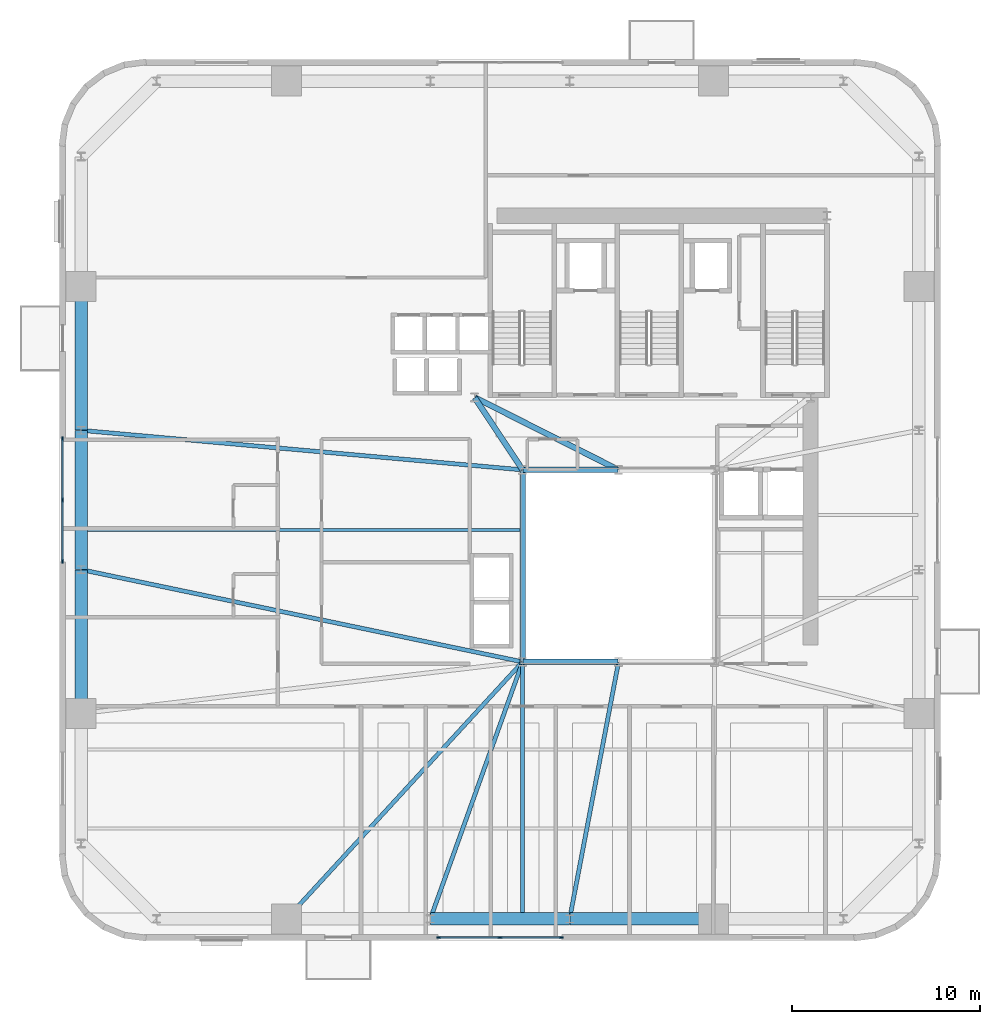
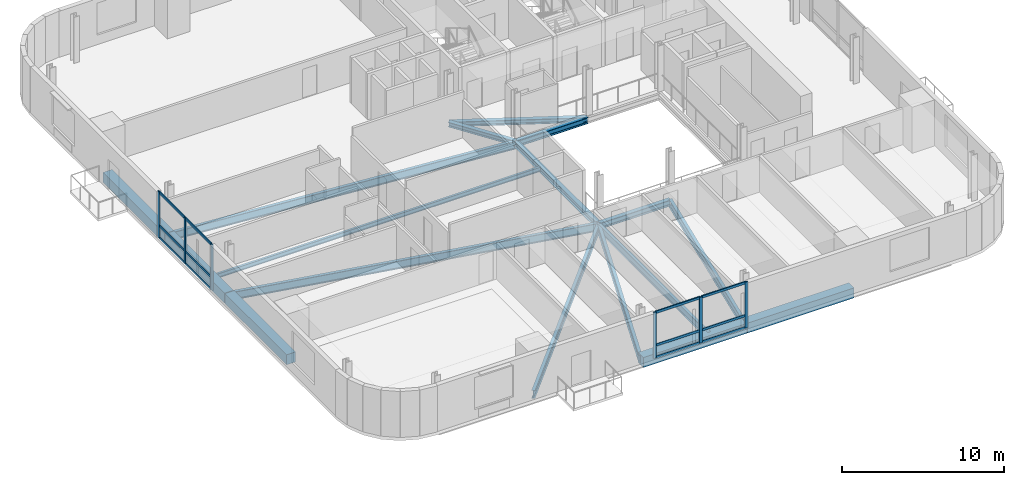
# One storey, part 2 of 14: 18 members, 17 beams, 2 elements without a shape of their own.
"""IFC4 building model written with IfcOpenShell, lengths in metres."""

from ifc_helpers import new_model, si_unit, direction, frame, origin, origin_2d, place, context, subcontext, project, spatial, rectangle, i_section, extrude, source, transform, mapped, material, material_profile, profile_set, type_object, element, aggregate, save


model = new_model("IFC4")

# Units and contexts
model_context = context("Model", 3, precision=1e-05, world=origin(), true_north=direction((0.0, 1.0)))
body_context = subcontext(model_context, "Body", "Model", "MODEL_VIEW")
ifc_project = project(units=[si_unit("LENGTHUNIT", "METRE"), si_unit("AREAUNIT", "SQUARE_METRE"), si_unit("VOLUMEUNIT", "CUBIC_METRE"), si_unit("PLANEANGLEUNIT", "RADIAN"), si_unit("MASSUNIT", "GRAM", prefix="KILO")], contexts=[model_context])

# Site, building, storey
site_placement = place(None, origin())
site = spatial("IfcSite", under=ifc_project, at=site_placement, CompositionType="ELEMENT")
building_placement = place(site_placement, origin())
building = spatial("IfcBuilding", under=site, at=building_placement, Name="Vardaveli Station Tower", CompositionType="ELEMENT")
storey_placement = place(building_placement, frame((0.0, 0.0, 133.5)))
storey = spatial("IfcBuildingStorey", under=building, at=storey_placement, Name="L34", CompositionType="ELEMENT", Elevation=133.5)

# Beams
ifc_material_1 = material(Name="Structural steel S355J2", Category="steel")
ifc_material_profile_1 = material_profile(ifc_material_1, i_section(OverallWidth=0.300048828125, OverallDepth=0.449951171875, WebThickness=0.013916015625, FlangeThickness=0.02587890625, FilletRadius=0.027099609375, at=origin_2d()), Name="HEB 450")
ifc_profile_set_1 = profile_set([ifc_material_profile_1], Name="Structural steel S355J2")
beam_type_1 = type_object("IfcBeamType", Name="BM-HEB450", PredefinedType="BEAM", material=ifc_profile_set_1)
shared_shape_1 = source(origin(), body_context, "Body", "SweptSolid", [
    extrude(i_section(OverallWidth=0.300048828125, OverallDepth=0.449951171875, WebThickness=0.013916015625, FlangeThickness=0.02587890625, FilletRadius=0.027099609375, at=origin_2d()), origin(), (0.0, 0.0, 1.0), 5.06005859375),
])
for number, where, z_axis, x_axis, name in (
    (1, (31.219970703125, 16.60009765625, -0.465087890625), (1.0, 0.0, 0.0), (0.0, 1.0, 0.0), "ABM-L34-01"),
    (2, (36.280029296875, 26.800048828125, -0.465087890625), (-1.0, 0.0, 0.0), (0.0, -1.0, 0.0), "ABM-L34-05"),
):
    element("IfcBeam", number, at=place(storey_placement, frame(where, z_axis=z_axis, x_axis=x_axis)), inside=storey, type_object=beam_type_1, Name=name, PredefinedType="BEAM", context=body_context, shape_type="MappedRepresentation", body=[
        mapped(shared_shape_1, transform((0.0, 0.0, 0.0), scale=1.0)),
    ])
shared_shape_2 = source(origin(), body_context, "Body", "SweptSolid", [
    extrude(i_section(OverallWidth=0.300048828125, OverallDepth=0.449951171875, WebThickness=0.013916015625, FlangeThickness=0.02587890625, FilletRadius=0.027099609375, at=origin_2d()), origin(), (0.0, 0.0, 1.0), 10.159912109375),
])
beam_1_placement = place(storey_placement, frame((31.199951171875, 26.780029296875, -0.465087890625), z_axis=(0.0, -1.0, 0.0), x_axis=(1.0, 0.0, 0.0)))
element("IfcBeam", 3, at=beam_1_placement, inside=storey, type_object=beam_type_1, Name="ABM-L34-06", PredefinedType="BEAM", context=body_context, shape_type="MappedRepresentation", body=[
    mapped(shared_shape_2, transform((0.0, 0.0, 0.0), scale=1.0)),
])
ifc_material_profile_2 = material_profile(ifc_material_1, i_section(OverallWidth=0.300048828125, OverallDepth=0.360107421875, WebThickness=0.012451171875, FlangeThickness=0.0224609375, FilletRadius=0.027099609375, at=origin_2d()), Name="HEB 360")
ifc_profile_set_2 = profile_set([ifc_material_profile_2], Name="Structural steel S355J2")
beam_type_2 = type_object("IfcBeamType", Name="BM-HEB360", PredefinedType="BEAM", material=ifc_profile_set_2)
shared_shape_3 = source(origin(), body_context, "Body", "SweptSolid", [
    extrude(i_section(OverallWidth=0.300048828125, OverallDepth=0.360107421875, WebThickness=0.012451171875, FlangeThickness=0.0224609375, FilletRadius=0.027099609375, at=origin_2d()), origin(), (0.0, 0.0, 1.0), 4.577880859375),
])
beam_2_placement = place(storey_placement, frame((31.18896484375, 26.816650390625, -0.419921875), z_axis=(-0.55218702139, 0.833720272879, 0.0), x_axis=(-0.833720272879, -0.55218702139, 0.0)))
element("IfcBeam", 4, at=beam_2_placement, inside=storey, type_object=beam_type_2, Name="CBM-L34-01", PredefinedType="BEAM", context=body_context, shape_type="MappedRepresentation", body=[
    mapped(shared_shape_3, transform((0.0, 0.0, 0.0), scale=1.0)),
])
shared_shape_4 = source(origin(), body_context, "Body", "SweptSolid", [
    extrude(i_section(OverallWidth=0.300048828125, OverallDepth=0.360107421875, WebThickness=0.012451171875, FlangeThickness=0.0224609375, FilletRadius=0.027099609375, at=origin_2d()), origin(), (0.0, 0.0, 1.0), 8.524169921875),
])
beam_3_placement = place(storey_placement, frame((28.66796875, 30.64111328125, -0.419921875), z_axis=(0.893255584708, -0.449549174605, 0.0), x_axis=(0.449549174605, 0.893255584708, 0.0)))
element("IfcBeam", 5, at=beam_3_placement, inside=storey, type_object=beam_type_2, Name="CBM-L34-03", PredefinedType="BEAM", context=body_context, shape_type="MappedRepresentation", body=[
    mapped(shared_shape_4, transform((0.0, 0.0, 0.0), scale=1.0)),
])
ifc_material_2 = material(Name="Precast concrete C45/55", Category="concrete")
ifc_material_profile_3 = material_profile(ifc_material_2, rectangle(XDim=0.64990234375, YDim=0.75, at=origin_2d()), Name="LPB 650x750")
ifc_profile_set_3 = profile_set([ifc_material_profile_3], Name="Precast concrete C45/55")
beam_type_3 = type_object("IfcBeamType", Name="BM-LPB-750", PredefinedType="BEAM", material=ifc_profile_set_3)
shared_shape_5 = source(origin(), body_context, "Body", "SweptSolid", [
    extrude(rectangle(XDim=0.64990234375, YDim=0.75, at=origin_2d()), origin(), (0.0, 0.0, 1.0), 7.60009765625),
])
for number, where, z_axis, x_axis, name in (
    (6, (33.719970703125, 2.949951171875, -0.614990234375), (1.0, 0.0, 0.0), (0.0, 1.0, 0.0), "RBM-L34-03"),
    (7, (7.75, 36.52001953125, -0.614990234375), (0.0, -1.0, 0.0), (1.0, 0.0, 0.0), "RBM-L34-19"),
    (8, (7.75, 21.47998046875, -0.614990234375), (0.0, -1.0, 0.0), (1.0, 0.0, 0.0), "RBM-L34-21"),
):
    element("IfcBeam", number, at=place(storey_placement, frame(where, z_axis=z_axis, x_axis=x_axis)), inside=storey, type_object=beam_type_3, Name=name, PredefinedType="BEAM", context=body_context, shape_type="MappedRepresentation", body=[
        mapped(shared_shape_5, transform((0.0, 0.0, 0.0), scale=1.0)),
    ])
shared_shape_6 = source(origin(), body_context, "Body", "SweptSolid", [
    extrude(rectangle(XDim=0.64990234375, YDim=0.75, at=origin_2d()), origin(), (0.0, 0.0, 1.0), 7.35986328125),
])
for number, where, z_axis, x_axis, name in (
    (9, (26.320068359375, 2.949951171875, -0.614990234375), (1.0, 0.0, 0.0), (0.0, 1.0, 0.0), "RBM-L34-02"),
    (10, (7.75, 28.8798828125, -0.614990234375), (0.0, -1.0, 0.0), (1.0, 0.0, 0.0), "RBM-L34-20"),
):
    element("IfcBeam", number, at=place(storey_placement, frame(where, z_axis=z_axis, x_axis=x_axis)), inside=storey, type_object=beam_type_3, Name=name, PredefinedType="BEAM", context=body_context, shape_type="MappedRepresentation", body=[
        mapped(shared_shape_6, transform((0.0, 0.0, 0.0), scale=1.0)),
    ])
ifc_material_profile_4 = material_profile(ifc_material_1, i_section(OverallWidth=0.2099609375, OverallDepth=0.550048828125, WebThickness=0.010986328125, FlangeThickness=0.01708984375, FilletRadius=0.02392578125, at=origin_2d()), Name="IPE 550")
ifc_profile_set_4 = profile_set([ifc_material_profile_4], Name="Structural steel S355J2")
beam_type_4 = type_object("IfcBeamType", Name="BM-IPE550", PredefinedType="BEAM", material=ifc_profile_set_4)
shared_shape_7 = source(origin(), body_context, "Body", "SweptSolid", [
    extrude(i_section(OverallWidth=0.2099609375, OverallDepth=0.550048828125, WebThickness=0.010986328125, FlangeThickness=0.01708984375, FilletRadius=0.02392578125, at=origin_2d()), origin(), (0.0, 0.0, 1.0), 13.469970703125),
])
beam_4_placement = place(storey_placement, frame((31.199951171875, 2.989990234375, -0.514892578125), z_axis=(0.0, 1.0, 0.0), x_axis=(-1.0, 0.0, 0.0)))
element("IfcBeam", 11, at=beam_4_placement, inside=storey, type_object=beam_type_4, Name="NSM-L34-S1", PredefinedType="BEAM", context=body_context, shape_type="MappedRepresentation", body=[
    mapped(shared_shape_7, transform((0.0, 0.0, 0.0), scale=1.0)),
])
ifc_material_profile_5 = material_profile(ifc_material_1, i_section(OverallWidth=0.159912109375, OverallDepth=0.330078125, WebThickness=0.007568359375, FlangeThickness=0.011474609375, FilletRadius=0.01806640625, at=origin_2d()), Name="IPE 330")
ifc_profile_set_5 = profile_set([ifc_material_profile_5], Name="Structural steel S355J2")
beam_type_5 = type_object("IfcBeamType", Name="BM-IPE330", PredefinedType="JOIST", material=ifc_profile_set_5)
shared_shape_8 = source(origin(), body_context, "Body", "SweptSolid", [
    extrude(i_section(OverallWidth=0.159912109375, OverallDepth=0.330078125, WebThickness=0.007568359375, FlangeThickness=0.011474609375, FilletRadius=0.01806640625, at=origin_2d()), origin(), (0.0, 0.0, 1.0), 23.2978515625),
])
beam_5_placement = place(storey_placement, frame((7.7900390625, 23.60009765625, -0.405029296875), z_axis=(1.0, 0.0, 0.0), x_axis=(0.0, 1.0, 0.0)))
element("IfcBeam", 12, at=beam_5_placement, inside=storey, type_object=beam_type_5, Name="SJ-L34-W06", PredefinedType="JOIST", context=body_context, shape_type="MappedRepresentation", body=[
    mapped(shared_shape_8, transform((0.0, 0.0, 0.0), scale=1.0)),
])
ifc_material_profile_6 = material_profile(ifc_material_1, i_section(OverallWidth=0.219970703125, OverallDepth=0.60009765625, WebThickness=0.011962890625, FlangeThickness=0.01904296875, FilletRadius=0.02392578125, at=origin_2d()), Name="IPE 600")
ifc_profile_set_6 = profile_set([ifc_material_profile_6], Name="Structural steel S355J2")
beam_type_6 = type_object("IfcBeamType", Name="BM-IPE600", PredefinedType="BEAM", material=ifc_profile_set_6)
shared_shape_9 = source(origin(), body_context, "Body", "SweptSolid", [
    extrude(i_section(OverallWidth=0.219970703125, OverallDepth=0.60009765625, WebThickness=0.011962890625, FlangeThickness=0.01904296875, FilletRadius=0.02392578125, at=origin_2d()), origin(), (0.0, 0.0, 1.0), 18.49560546875),
])
beam_6_placement = place(storey_placement, frame((18.673583984375, 2.96484375, -0.5400390625), z_axis=(0.676535341891, 0.736410165039, 0.0), x_axis=(-0.736410165039, 0.676535341891, 0.0)))
element("IfcBeam", 13, at=beam_6_placement, inside=storey, type_object=beam_type_6, Name="GBM-L34-01", PredefinedType="BEAM", context=body_context, shape_type="MappedRepresentation", body=[
    mapped(shared_shape_9, transform((0.0, 0.0, 0.0), scale=1.0)),
])
shared_shape_10 = source(origin(), body_context, "Body", "SweptSolid", [
    extrude(i_section(OverallWidth=0.219970703125, OverallDepth=0.60009765625, WebThickness=0.011962890625, FlangeThickness=0.01904296875, FilletRadius=0.02392578125, at=origin_2d()), origin(), (0.0, 0.0, 1.0), 14.462890625),
])
beam_7_placement = place(storey_placement, frame((26.306640625, 2.96875, -0.5400390625), z_axis=(0.337880090533, 0.941189165057, 0.0), x_axis=(-0.941189165057, 0.337880090533, 0.0)))
element("IfcBeam", 14, at=beam_7_placement, inside=storey, type_object=beam_type_6, Name="GBM-L34-02", PredefinedType="BEAM", context=body_context, shape_type="MappedRepresentation", body=[
    mapped(shared_shape_10, transform((0.0, 0.0, 0.0), scale=1.0)),
])
shared_shape_11 = source(origin(), body_context, "Body", "SweptSolid", [
    extrude(i_section(OverallWidth=0.219970703125, OverallDepth=0.60009765625, WebThickness=0.011962890625, FlangeThickness=0.01904296875, FilletRadius=0.02392578125, at=origin_2d()), origin(), (0.0, 0.0, 1.0), 13.855224609375),
])
beam_8_placement = place(storey_placement, frame((33.703857421875, 2.9697265625, -0.5400390625), z_axis=(0.187097533125, 0.982341342456, 0.0), x_axis=(-0.982341342456, 0.187097533125, 0.0)))
element("IfcBeam", 15, at=beam_8_placement, inside=storey, type_object=beam_type_6, Name="GBM-L34-03", PredefinedType="BEAM", context=body_context, shape_type="MappedRepresentation", body=[
    mapped(shared_shape_11, transform((0.0, 0.0, 0.0), scale=1.0)),
])
shared_shape_12 = source(origin(), body_context, "Body", "SweptSolid", [
    extrude(i_section(OverallWidth=0.219970703125, OverallDepth=0.60009765625, WebThickness=0.011962890625, FlangeThickness=0.01904296875, FilletRadius=0.02392578125, at=origin_2d()), origin(), (0.0, 0.0, 1.0), 23.50390625),
])
beam_9_placement = place(storey_placement, frame((7.77001953125, 28.898193359375, -0.5400390625), z_axis=(0.996014142198, -0.08919545135, 0.0), x_axis=(0.08919545135, 0.996014142198, 0.0)))
element("IfcBeam", 16, at=beam_9_placement, inside=storey, type_object=beam_type_6, Name="GBM-L34-08", PredefinedType="BEAM", context=body_context, shape_type="MappedRepresentation", body=[
    mapped(shared_shape_12, transform((0.0, 0.0, 0.0), scale=1.0)),
])
shared_shape_13 = source(origin(), body_context, "Body", "SweptSolid", [
    extrude(i_section(OverallWidth=0.219970703125, OverallDepth=0.60009765625, WebThickness=0.011962890625, FlangeThickness=0.01904296875, FilletRadius=0.02392578125, at=origin_2d()), origin(), (0.0, 0.0, 1.0), 23.91650390625),
])
beam_10_placement = place(storey_placement, frame((7.76953125, 21.495849609375, -0.5400390625), z_axis=(0.978858547354, -0.204538368703, 0.0), x_axis=(0.204538368703, 0.978858547354, 0.0)))
element("IfcBeam", 17, at=beam_10_placement, inside=storey, type_object=beam_type_6, Name="GBM-L34-09", PredefinedType="BEAM", context=body_context, shape_type="MappedRepresentation", body=[
    mapped(shared_shape_13, transform((0.0, 0.0, 0.0), scale=1.0)),
])

# Curtain wall, members
ifc_material_3 = material(Name="Travertine stone and solar-control glass", Category="masonry")
curtain_wall_type = type_object("IfcCurtainWallType", Name="CW-SYS-2", PredefinedType="NOTDEFINED", material=ifc_material_3)
curtain_wall_1_placement = place(storey_placement, origin())
curtain_wall_1 = element("IfcCurtainWall", 18, at=curtain_wall_1_placement, inside=storey, type_object=curtain_wall_type, Name="CW-L34-S", PredefinedType="NOTDEFINED")
ifc_material_4 = material(Name="Anodised aluminium alloy 6063-T6", Category="aluminium")
ifc_material_profile_7 = material_profile(ifc_material_4, rectangle(XDim=0.0849609375, YDim=0.179931640625, at=origin_2d()), Name="CWT 85x180")
ifc_profile_set_7 = profile_set([ifc_material_profile_7], Name="Anodised aluminium alloy 6063-T6")
member_type_1 = type_object("IfcMemberType", Name="CW-SYS-2-TRAN", PredefinedType="NOTDEFINED", material=ifc_profile_set_7)
shared_shape_14 = source(origin(), body_context, "Body", "SweptSolid", [
    extrude(rectangle(XDim=0.0849609375, YDim=0.179931640625, at=origin_2d()), origin(), (0.0, 0.0, 1.0), 3.172607421875),
])
member_1_placement = place(storey_placement, frame((26.784912109375, 1.9599609375, 0.04248046875), z_axis=(1.0, 0.0, 0.0), x_axis=(0.0, 1.0, 0.0)))
member_1 = element("IfcMember", 19, at=member_1_placement, type_object=member_type_1, Name="CW-2 transom 1.1", ObjectType="TRANSOM", PredefinedType="USERDEFINED", context=body_context, shape_type="MappedRepresentation", body=[
    mapped(shared_shape_14, transform((0.0, 0.0, 0.0), scale=1.0)),
])
member_2_placement = place(storey_placement, frame((26.784912109375, 1.9599609375, 0.949951171875), z_axis=(1.0, 0.0, 0.0), x_axis=(0.0, 1.0, 0.0)))
member_2 = element("IfcMember", 20, at=member_2_placement, type_object=member_type_1, Name="CW-2 transom 1.2", ObjectType="TRANSOM", PredefinedType="USERDEFINED", context=body_context, shape_type="MappedRepresentation", body=[
    mapped(shared_shape_14, transform((0.0, 0.0, 0.0), scale=1.0)),
])
member_3_placement = place(storey_placement, frame((26.784912109375, 1.9599609375, 3.41748046875), z_axis=(1.0, 0.0, 0.0), x_axis=(0.0, 1.0, 0.0)))
member_3 = element("IfcMember", 21, at=member_3_placement, type_object=member_type_1, Name="CW-2 transom 1.3", ObjectType="TRANSOM", PredefinedType="USERDEFINED", context=body_context, shape_type="MappedRepresentation", body=[
    mapped(shared_shape_14, transform((0.0, 0.0, 0.0), scale=1.0)),
])
member_4_placement = place(storey_placement, frame((30.04248046875, 1.9599609375, 0.04248046875), z_axis=(1.0, 0.0, 0.0), x_axis=(0.0, 1.0, 0.0)))
member_4 = element("IfcMember", 22, at=member_4_placement, type_object=member_type_1, Name="CW-2 transom 2.1", ObjectType="TRANSOM", PredefinedType="USERDEFINED", context=body_context, shape_type="MappedRepresentation", body=[
    mapped(shared_shape_14, transform((0.0, 0.0, 0.0), scale=1.0)),
])
member_5_placement = place(storey_placement, frame((30.04248046875, 1.9599609375, 0.949951171875), z_axis=(1.0, 0.0, 0.0), x_axis=(0.0, 1.0, 0.0)))
member_5 = element("IfcMember", 23, at=member_5_placement, type_object=member_type_1, Name="CW-2 transom 2.2", ObjectType="TRANSOM", PredefinedType="USERDEFINED", context=body_context, shape_type="MappedRepresentation", body=[
    mapped(shared_shape_14, transform((0.0, 0.0, 0.0), scale=1.0)),
])
member_6_placement = place(storey_placement, frame((30.04248046875, 1.9599609375, 3.41748046875), z_axis=(1.0, 0.0, 0.0), x_axis=(0.0, 1.0, 0.0)))
member_6 = element("IfcMember", 24, at=member_6_placement, type_object=member_type_1, Name="CW-2 transom 2.3", ObjectType="TRANSOM", PredefinedType="USERDEFINED", context=body_context, shape_type="MappedRepresentation", body=[
    mapped(shared_shape_14, transform((0.0, 0.0, 0.0), scale=1.0)),
])

curtain_wall_2_placement = place(storey_placement, origin())
curtain_wall_2 = element("IfcCurtainWall", 25, at=curtain_wall_2_placement, inside=storey, type_object=curtain_wall_type, Name="CW-L34-W", PredefinedType="NOTDEFINED")
member_7_placement = place(storey_placement, frame((6.760009765625, 28.4150390625, 0.04248046875), z_axis=(0.0, -1.0, 0.0), x_axis=(1.0, 0.0, 0.0)))
member_7 = element("IfcMember", 26, at=member_7_placement, type_object=member_type_1, Name="CW-2 transom 1.1", ObjectType="TRANSOM", PredefinedType="USERDEFINED", context=body_context, shape_type="MappedRepresentation", body=[
    mapped(shared_shape_14, transform((0.0, 0.0, 0.0), scale=1.0)),
])
member_8_placement = place(storey_placement, frame((6.760009765625, 28.4150390625, 0.949951171875), z_axis=(0.0, -1.0, 0.0), x_axis=(1.0, 0.0, 0.0)))
member_8 = element("IfcMember", 27, at=member_8_placement, type_object=member_type_1, Name="CW-2 transom 1.2", ObjectType="TRANSOM", PredefinedType="USERDEFINED", context=body_context, shape_type="MappedRepresentation", body=[
    mapped(shared_shape_14, transform((0.0, 0.0, 0.0), scale=1.0)),
])
member_9_placement = place(storey_placement, frame((6.760009765625, 28.4150390625, 3.41748046875), z_axis=(0.0, -1.0, 0.0), x_axis=(1.0, 0.0, 0.0)))
member_9 = element("IfcMember", 28, at=member_9_placement, type_object=member_type_1, Name="CW-2 transom 1.3", ObjectType="TRANSOM", PredefinedType="USERDEFINED", context=body_context, shape_type="MappedRepresentation", body=[
    mapped(shared_shape_14, transform((0.0, 0.0, 0.0), scale=1.0)),
])
shared_shape_15 = source(origin(), body_context, "Body", "SweptSolid", [
    extrude(rectangle(XDim=0.0849609375, YDim=0.179931640625, at=origin_2d()), origin(), (0.0, 0.0, 1.0), 3.17236328125),
])
member_10_placement = place(storey_placement, frame((6.760009765625, 25.157470703125, 0.04248046875), z_axis=(0.0, -1.0, 0.0), x_axis=(1.0, 0.0, 0.0)))
member_10 = element("IfcMember", 29, at=member_10_placement, type_object=member_type_1, Name="CW-2 transom 2.1", ObjectType="TRANSOM", PredefinedType="USERDEFINED", context=body_context, shape_type="MappedRepresentation", body=[
    mapped(shared_shape_15, transform((0.0, 0.0, 0.0), scale=1.0)),
])
member_11_placement = place(storey_placement, frame((6.760009765625, 25.157470703125, 0.949951171875), z_axis=(0.0, -1.0, 0.0), x_axis=(1.0, 0.0, 0.0)))
member_11 = element("IfcMember", 30, at=member_11_placement, type_object=member_type_1, Name="CW-2 transom 2.2", ObjectType="TRANSOM", PredefinedType="USERDEFINED", context=body_context, shape_type="MappedRepresentation", body=[
    mapped(shared_shape_15, transform((0.0, 0.0, 0.0), scale=1.0)),
])
member_12_placement = place(storey_placement, frame((6.760009765625, 25.157470703125, 3.41748046875), z_axis=(0.0, -1.0, 0.0), x_axis=(1.0, 0.0, 0.0)))
member_12 = element("IfcMember", 31, at=member_12_placement, type_object=member_type_1, Name="CW-2 transom 2.3", ObjectType="TRANSOM", PredefinedType="USERDEFINED", context=body_context, shape_type="MappedRepresentation", body=[
    mapped(shared_shape_15, transform((0.0, 0.0, 0.0), scale=1.0)),
])

# Member
ifc_material_profile_8 = material_profile(ifc_material_4, rectangle(XDim=0.0849609375, YDim=0.219970703125, at=origin_2d()), Name="CWM 85x220")
ifc_profile_set_8 = profile_set([ifc_material_profile_8], Name="Anodised aluminium alloy 6063-T6")
member_type_2 = type_object("IfcMemberType", Name="CW-SYS-2-MULL", PredefinedType="MULLION", material=ifc_profile_set_8)
shared_shape_16 = source(origin(), body_context, "Body", "SweptSolid", [
    extrude(rectangle(XDim=0.0849609375, YDim=0.219970703125, at=origin_2d()), origin(), (0.0, 0.0, 1.0), 3.4599609375),
])
member_13_placement = place(storey_placement, frame((26.742431640625, 1.9599609375, 0.0), z_axis=(0.0, 0.0, 1.0), x_axis=(0.0, 1.0, 0.0)))
member_13 = element("IfcMember", 32, at=member_13_placement, type_object=member_type_2, Name="CW-2 mullion 1", PredefinedType="MULLION", context=body_context, shape_type="MappedRepresentation", body=[
    mapped(shared_shape_16, transform((0.0, 0.0, 0.0), scale=1.0)),
])

member_14_placement = place(storey_placement, frame((30.0, 1.9599609375, 0.0), z_axis=(0.0, 0.0, 1.0), x_axis=(0.0, 1.0, 0.0)))
member_14 = element("IfcMember", 33, at=member_14_placement, type_object=member_type_2, Name="CW-2 mullion 2", PredefinedType="MULLION", context=body_context, shape_type="MappedRepresentation", body=[
    mapped(shared_shape_16, transform((0.0, 0.0, 0.0), scale=1.0)),
])

member_15_placement = place(storey_placement, frame((33.257568359375, 1.9599609375, 0.0), z_axis=(0.0, 0.0, 1.0), x_axis=(0.0, 1.0, 0.0)))
member_15 = element("IfcMember", 34, at=member_15_placement, type_object=member_type_2, Name="CW-2 mullion 3", PredefinedType="MULLION", context=body_context, shape_type="MappedRepresentation", body=[
    mapped(shared_shape_16, transform((0.0, 0.0, 0.0), scale=1.0)),
])

aggregate(curtain_wall_1, [member_13, member_14, member_15, member_1, member_2, member_3, member_4, member_5, member_6])

member_16_placement = place(storey_placement, frame((6.760009765625, 28.45751953125, 0.0), z_axis=(0.0, 0.0, 1.0), x_axis=(1.0, 0.0, 0.0)))
member_16 = element("IfcMember", 35, at=member_16_placement, type_object=member_type_2, Name="CW-2 mullion 1", PredefinedType="MULLION", context=body_context, shape_type="MappedRepresentation", body=[
    mapped(shared_shape_16, transform((0.0, 0.0, 0.0), scale=1.0)),
])

member_17_placement = place(storey_placement, frame((6.760009765625, 25.199951171875, 0.0), z_axis=(0.0, 0.0, 1.0), x_axis=(1.0, 0.0, 0.0)))
member_17 = element("IfcMember", 36, at=member_17_placement, type_object=member_type_2, Name="CW-2 mullion 2", PredefinedType="MULLION", context=body_context, shape_type="MappedRepresentation", body=[
    mapped(shared_shape_16, transform((0.0, 0.0, 0.0), scale=1.0)),
])

member_18_placement = place(storey_placement, frame((6.760009765625, 21.9423828125, 0.0), z_axis=(0.0, 0.0, 1.0), x_axis=(1.0, 0.0, 0.0)))
member_18 = element("IfcMember", 37, at=member_18_placement, type_object=member_type_2, Name="CW-2 mullion 3", PredefinedType="MULLION", context=body_context, shape_type="MappedRepresentation", body=[
    mapped(shared_shape_16, transform((0.0, 0.0, 0.0), scale=1.0)),
])

aggregate(curtain_wall_2, [member_16, member_17, member_18, member_7, member_8, member_9, member_10, member_11, member_12])

save(model, "model.ifc")
